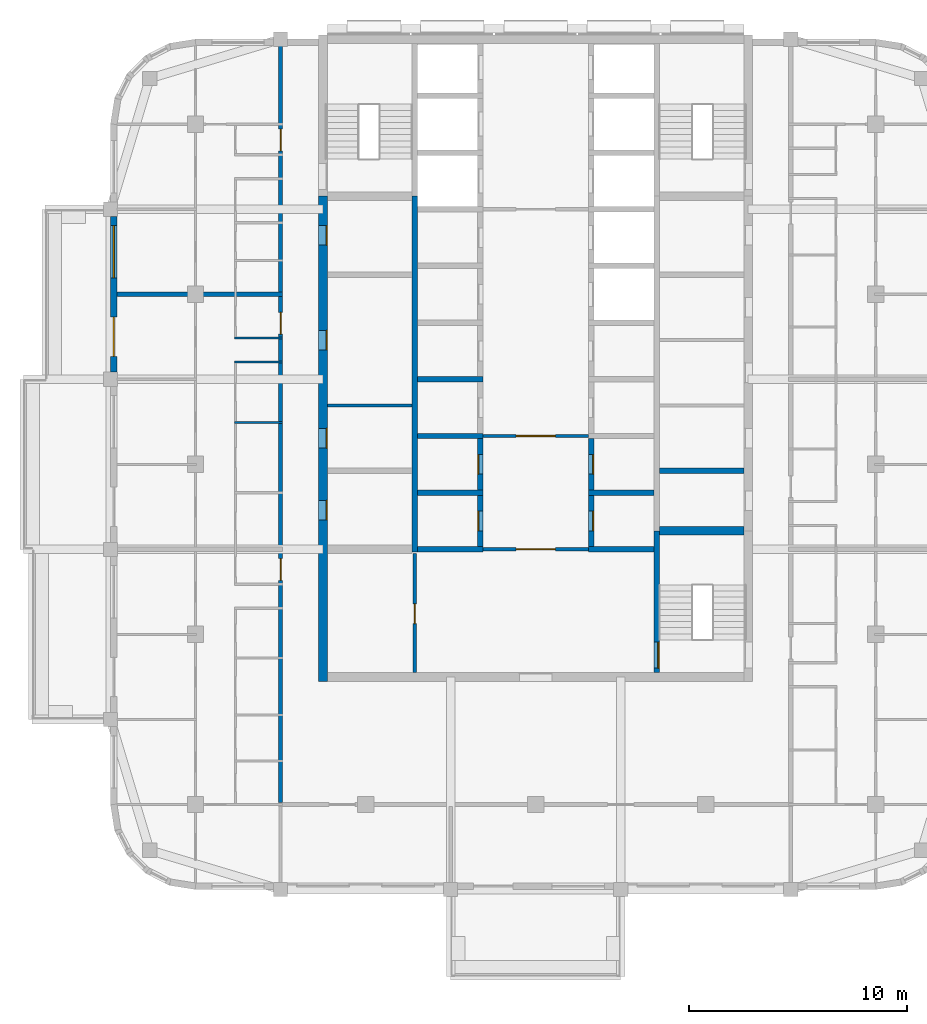
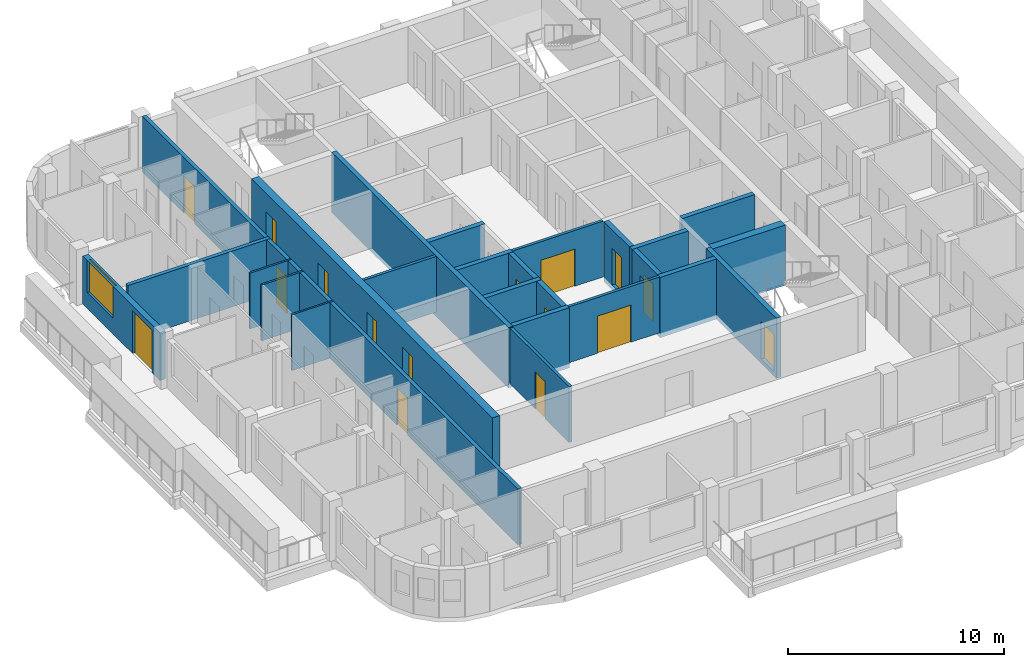
# One storey, part 4 of 13: 25 walls, 16 doors, 1 window, 17 openings.
"""IFC4 building model written with IfcOpenShell, lengths in metres."""

from ifc_helpers import new_model, si_unit, direction, frame, frame_2d, origin, place, context, subcontext, project, spatial, rectangle, extrude, material, layer, layer_set, type_object, element, fill, save


model = new_model("IFC4")

# Units and contexts
model_context = context("Model", 3, precision=1e-05, world=origin(), true_north=direction((0.0, 1.0)))
body_context = subcontext(model_context, "Body", "Model", "MODEL_VIEW")
ifc_project = project(units=[si_unit("LENGTHUNIT", "METRE"), si_unit("AREAUNIT", "SQUARE_METRE"), si_unit("VOLUMEUNIT", "CUBIC_METRE"), si_unit("PLANEANGLEUNIT", "RADIAN"), si_unit("MASSUNIT", "GRAM", prefix="KILO")], contexts=[model_context])

# Site, building, storey
site_placement = place(None, origin())
site = spatial("IfcSite", under=ifc_project, at=site_placement, CompositionType="ELEMENT")
building_placement = place(site_placement, origin())
building = spatial("IfcBuilding", under=site, at=building_placement, Name="Ludao Terraces", CompositionType="ELEMENT")
storey_placement = place(building_placement, frame((0.0, 0.0, 252.800048828125)))
storey = spatial("IfcBuildingStorey", under=building, at=storey_placement, Name="L69", CompositionType="ELEMENT", Elevation=252.800048828125)

# Wall, openings, doors
ifc_material_1 = material(Name="Concrete C50", Category="concrete")
ifc_layer_1 = layer(ifc_material_1, 0.39990234375)
ifc_layer_set_1 = layer_set([ifc_layer_1], Name="Core wall 400 C50")
wall_type_1 = type_object("IfcWallType", Name="Core wall 400 C50", PredefinedType="SOLIDWALL", material=ifc_layer_set_1)
wall_1_placement = place(storey_placement, frame((75.25, 55.050048828125, -0.25), z_axis=(0.0, 0.0, 1.0), x_axis=(0.0, 1.0, 0.0)))
wall_1 = element("IfcWall", 1, at=wall_1_placement, inside=storey, type_object=wall_type_1, Name="Core wall L69 outer-W", PredefinedType="SOLIDWALL", context=body_context, shape_type="SweptSolid", body=[
    extrude(rectangle(XDim=22.25, YDim=0.39990234375, at=frame_2d((11.125, 0.0))), origin(), (0.0, 0.0, 1.0), 3.39990234375),
])
opening_1_placement = place(wall_1_placement, frame((7.39990234375, 0.0, 0.25)))
opening_1 = element("IfcOpeningElement", 2, at=opening_1_placement, cuts=wall_1, Name="Opening R25-033", PredefinedType="OPENING", context=body_context, shape_type="SweptSolid", body=[
    extrude(rectangle(XDim=0.89990234375, YDim=2.10009765625, at=frame_2d((0.449951171875, 1.050048828125))), frame((0.0, 0.2099609375, 0.0), z_axis=(0.0, -1.0, 0.0), x_axis=(1.0, 0.0, 0.0)), (0.0, 0.0, 1.0), 0.419921875),
])
opening_2_placement = place(wall_1_placement, frame((10.699951171875, 0.0, 0.25)))
opening_2 = element("IfcOpeningElement", 3, at=opening_2_placement, cuts=wall_1, Name="Opening R25-042", PredefinedType="OPENING", context=body_context, shape_type="SweptSolid", body=[
    extrude(rectangle(XDim=0.89990234375, YDim=2.10009765625, at=frame_2d((0.449951171875, 1.050048828125))), frame((0.0, 0.2099609375, 0.0), z_axis=(0.0, -1.0, 0.0), x_axis=(1.0, 0.0, 0.0)), (0.0, 0.0, 1.0), 0.419921875),
])
opening_3_placement = place(wall_1_placement, frame((15.199951171875, 0.0, 0.25)))
opening_3 = element("IfcOpeningElement", 4, at=opening_3_placement, cuts=wall_1, Name="Opening R25-055", PredefinedType="OPENING", context=body_context, shape_type="SweptSolid", body=[
    extrude(rectangle(XDim=0.89990234375, YDim=2.10009765625, at=frame_2d((0.449951171875, 1.050048828125))), frame((0.0, 0.2099609375, 0.0), z_axis=(0.0, -1.0, 0.0), x_axis=(1.0, 0.0, 0.0)), (0.0, 0.0, 1.0), 0.419921875),
])
opening_4_placement = place(wall_1_placement, frame((20.0, 0.0, 0.25)))
opening_4 = element("IfcOpeningElement", 5, at=opening_4_placement, cuts=wall_1, Name="Opening R25-070", PredefinedType="OPENING", context=body_context, shape_type="SweptSolid", body=[
    extrude(rectangle(XDim=0.89990234375, YDim=2.10009765625, at=frame_2d((0.449951171875, 1.050048828125))), frame((0.0, 0.2099609375, 0.0), z_axis=(0.0, -1.0, 0.0), x_axis=(1.0, 0.0, 0.0)), (0.0, 0.0, 1.0), 0.419921875),
])
ifc_material_2 = material(Name="Steel Q235", Category="steel")
door_type_1 = type_object("IfcDoorType", Name="INT Riser door 900", OperationType="SINGLE_SWING_LEFT", PredefinedType="DOOR", material=ifc_material_2)
door_1_placement = place(opening_1_placement, origin())
door_1 = element("IfcDoor", 6, at=door_1_placement, inside=storey, type_object=door_type_1, Name="DOOR 033", OperationType="SINGLE_SWING_RIGHT", OverallHeight=2.10009765625, OverallWidth=0.89990234375, PredefinedType="DOOR", context=body_context, shape_type="SweptSolid", body=[
    extrude(rectangle(XDim=0.89990234375, YDim=2.10009765625, at=frame_2d((0.449951171875, 1.050048828125))), frame((0.0, -0.134765625, 0.0), z_axis=(0.0, -1.0, 0.0), x_axis=(1.0, 0.0, 0.0)), (0.0, 0.0, 1.0), 0.050048828125),
])
fill(opening_1, door_1)
door_2_placement = place(opening_4_placement, origin())
door_2 = element("IfcDoor", 7, at=door_2_placement, inside=storey, type_object=door_type_1, Name="DOOR 070", OperationType="SINGLE_SWING_LEFT", OverallHeight=2.10009765625, OverallWidth=0.89990234375, PredefinedType="DOOR", context=body_context, shape_type="SweptSolid", body=[
    extrude(rectangle(XDim=0.89990234375, YDim=2.10009765625, at=frame_2d((0.449951171875, 1.050048828125))), frame((0.0, -0.134765625, 0.0), z_axis=(0.0, -1.0, 0.0), x_axis=(1.0, 0.0, 0.0)), (0.0, 0.0, 1.0), 0.050048828125),
])
fill(opening_4, door_2)
ifc_material_3 = material(Name="Timber door leaf", Category="wood")
door_type_2 = type_object("IfcDoorType", Name="INT Room door 900", OperationType="SINGLE_SWING_LEFT", PredefinedType="DOOR", material=ifc_material_3)
door_3_placement = place(opening_2_placement, origin())
door_3 = element("IfcDoor", 8, at=door_3_placement, inside=storey, type_object=door_type_2, Name="DOOR 042", OperationType="SINGLE_SWING_RIGHT", OverallHeight=2.10009765625, OverallWidth=0.89990234375, PredefinedType="DOOR", context=body_context, shape_type="SweptSolid", body=[
    extrude(rectangle(XDim=0.89990234375, YDim=2.10009765625, at=frame_2d((0.449951171875, 1.050048828125))), frame((0.0, -0.134765625, 0.0), z_axis=(0.0, -1.0, 0.0), x_axis=(1.0, 0.0, 0.0)), (0.0, 0.0, 1.0), 0.050048828125),
])
fill(opening_2, door_3)
door_4_placement = place(opening_3_placement, origin())
door_4 = element("IfcDoor", 9, at=door_4_placement, inside=storey, type_object=door_type_2, Name="DOOR 055", OperationType="SINGLE_SWING_LEFT", OverallHeight=2.10009765625, OverallWidth=0.89990234375, PredefinedType="DOOR", context=body_context, shape_type="SweptSolid", body=[
    extrude(rectangle(XDim=0.89990234375, YDim=2.10009765625, at=frame_2d((0.449951171875, 1.050048828125))), frame((0.0, -0.134765625, 0.0), z_axis=(0.0, -1.0, 0.0), x_axis=(1.0, 0.0, 0.0)), (0.0, 0.0, 1.0), 0.050048828125),
])
fill(opening_3, door_4)

# Wall, openings, door, window
ifc_material_4 = material(Name="Granite cladding", Category="masonry")
ifc_layer_2 = layer(ifc_material_4, 0.0400390625, Category="stone")
ifc_material_5 = material(Name="Mineral wool")
ifc_layer_3 = layer(ifc_material_5, 0.06005859375)
ifc_material_6 = material(Name="Concrete C40", Category="concrete")
ifc_layer_4 = layer(ifc_material_6, 0.199951171875, Category="concrete")
ifc_layer_set_2 = layer_set([ifc_layer_2, ifc_layer_3, ifc_layer_4], Name="ENV Stone-clad wall 300")
wall_type_2 = type_object("IfcWallType", Name="ENV Stone-clad wall 300", PredefinedType="SOLIDWALL", material=ifc_layer_set_2)
wall_2_placement = place(storey_placement, frame((65.64990234375, 69.22509765625, 0.0), z_axis=(0.0, 0.0, 1.0), x_axis=(0.0, 1.0, 0.0)))
wall_2 = element("IfcWall", 10, at=wall_2_placement, inside=storey, type_object=wall_type_2, Name="EW-L69-W4", PredefinedType="SOLIDWALL", context=body_context, shape_type="SweptSolid", body=[
    extrude(rectangle(XDim=7.14990234375, YDim=0.300048828125, at=frame_2d((3.574951171875, 0.0))), origin(), (0.0, 0.0, 1.0), 2.699951171875),
])
opening_5_placement = place(wall_2_placement, frame((0.72509765625, 0.0, 0.0)))
opening_5 = element("IfcOpeningElement", 11, at=opening_5_placement, cuts=wall_2, Name="Opening BD", PredefinedType="OPENING", context=body_context, shape_type="SweptSolid", body=[
    extrude(rectangle(XDim=1.800048828125, YDim=2.39990234375, at=frame_2d((0.89990234375, 1.199951171875))), frame((0.0, 0.16015625, 0.0), z_axis=(0.0, -1.0, 0.0), x_axis=(1.0, 0.0, 0.0)), (0.0, 0.0, 1.0), 0.320068359375),
])
opening_6_placement = place(wall_2_placement, frame((4.324951171875, 0.0, 0.89990234375)))
opening_6 = element("IfcOpeningElement", 12, at=opening_6_placement, cuts=wall_2, Name="Opening W1", PredefinedType="OPENING", context=body_context, shape_type="SweptSolid", body=[
    extrude(rectangle(XDim=2.39990234375, YDim=1.800048828125, at=frame_2d((1.199951171875, 0.89990234375))), frame((0.0, 0.16015625, 0.0), z_axis=(0.0, -1.0, 0.0), x_axis=(1.0, 0.0, 0.0)), (0.0, 0.0, 1.0), 0.320068359375),
])
ifc_material_7 = material(Name="Aluminium glazed door", Category="aluminium")
ifc_layer_5 = layer(ifc_material_7, 0.06005859375)
ifc_layer_set_3 = layer_set([ifc_layer_5], Name="ENV Balcony door BD 1800x2400")
door_type_3 = type_object("IfcDoorType", Name="ENV Balcony door BD 1800x2400", OperationType="DOUBLE_DOOR_SINGLE_SWING", PredefinedType="DOOR", material=ifc_layer_set_3)
door_5_placement = place(opening_5_placement, origin())
door_5 = element("IfcDoor", 13, at=door_5_placement, inside=storey, type_object=door_type_3, Name="BD-L69-W4-1", OperationType="DOUBLE_DOOR_SINGLE_SWING", OverallHeight=2.39990234375, OverallWidth=1.800048828125, PredefinedType="DOOR", context=body_context, shape_type="SweptSolid", body=[
    extrude(rectangle(XDim=1.800048828125, YDim=2.39990234375, at=frame_2d((0.89990234375, 1.199951171875))), frame((0.0, 0.02490234375, 0.0), z_axis=(0.0, -1.0, 0.0), x_axis=(1.0, 0.0, 0.0)), (0.0, 0.0, 1.0), 0.050048828125),
])
fill(opening_5, door_5)
ifc_material_8 = material(Name="Clear glass in aluminium frame", Category="aluminium")
ifc_layer_6 = layer(ifc_material_8, 0.06005859375)
ifc_layer_set_4 = layer_set([ifc_layer_6], Name="ENV Window W1 2400x1800")
window_type = type_object("IfcWindowType", Name="ENV Window W1 2400x1800", PartitioningType="DOUBLE_PANEL_VERTICAL", PredefinedType="WINDOW", material=ifc_layer_set_4)
window_placement = place(opening_6_placement, origin())
window = element("IfcWindow", 14, at=window_placement, inside=storey, type_object=window_type, Name="W-L69-W4-2", OverallHeight=1.800048828125, OverallWidth=2.39990234375, PartitioningType="DOUBLE_PANEL_VERTICAL", PredefinedType="WINDOW", context=body_context, shape_type="SweptSolid", body=[
    extrude(rectangle(XDim=2.39990234375, YDim=1.800048828125, at=frame_2d((1.199951171875, 0.89990234375))), frame((0.0, 0.030029296875, 0.0), z_axis=(0.0, -1.0, 0.0), x_axis=(1.0, 0.0, 0.0)), (0.0, 0.0, 1.0), 0.06005859375),
])
fill(opening_6, window)

# Wall, opening, door
ifc_material_9 = material(Name="Fire-rated gypsum plasterboard", Category="gypsum")
ifc_layer_7 = layer(ifc_material_9, 0.012451171875, Category="gypsum")
ifc_layer_8 = layer(ifc_material_5, 0.10009765625, Name="insulation")
ifc_layer_9 = layer(ifc_material_2, 0.02490234375, Name="stud")
ifc_layer_10 = layer(ifc_material_9, 0.012451171875, Category="gypsum")
ifc_layer_set_5 = layer_set([ifc_layer_7, ifc_layer_8, ifc_layer_9, ifc_layer_10], Name="INT Core partition 150")
wall_type_3 = type_object("IfcWallType", Name="INT Core partition 150", PredefinedType="PARTITIONING", material=ifc_layer_set_5)
wall_3_placement = place(storey_placement, frame((82.5751953125, 61.10009765625, 0.0), z_axis=(0.0, 0.0, 1.0), x_axis=(1.0, 0.0, 0.0)))
wall_3 = element("IfcWall", 15, at=wall_3_placement, inside=storey, type_object=wall_type_3, Name="PW-L69-PW017", PredefinedType="PARTITIONING", context=body_context, shape_type="SweptSolid", body=[
    extrude(rectangle(XDim=4.849853515625, YDim=0.14990234375, at=frame_2d((2.4248046875, 0.0))), origin(), (0.0, 0.0, 1.0), 3.14990234375),
])
opening_7_placement = place(wall_3_placement, frame((1.52490234375, 0.0, 0.0)))
opening_7 = element("IfcOpeningElement", 16, at=opening_7_placement, cuts=wall_3, Name="Opening R25-028", PredefinedType="OPENING", context=body_context, shape_type="SweptSolid", body=[
    extrude(rectangle(XDim=1.800048828125, YDim=2.10009765625, at=frame_2d((0.89990234375, 1.050048828125))), frame((0.0, 0.0849609375, 0.0), z_axis=(0.0, -1.0, 0.0), x_axis=(1.0, 0.0, 0.0)), (0.0, 0.0, 1.0), 0.169921875),
])
door_type_4 = type_object("IfcDoorType", Name="INT Fire lobby door 1800", OperationType="DOUBLE_DOOR_SINGLE_SWING", PredefinedType="DOOR", material=ifc_material_2)
door_6_placement = place(opening_7_placement, origin())
door_6 = element("IfcDoor", 17, at=door_6_placement, inside=storey, type_object=door_type_4, Name="DOOR 028", OperationType="DOUBLE_DOOR_SINGLE_SWING", OverallHeight=2.10009765625, OverallWidth=1.800048828125, PredefinedType="DOOR", context=body_context, shape_type="SweptSolid", body=[
    extrude(rectangle(XDim=1.800048828125, YDim=2.10009765625, at=frame_2d((0.89990234375, 1.050048828125))), frame((0.0, 0.02490234375, 0.0), z_axis=(0.0, -1.0, 0.0), x_axis=(1.0, 0.0, 0.0)), (0.0, 0.0, 1.0), 0.050048828125),
])
fill(opening_7, door_6)

wall_4_placement = place(storey_placement, frame((82.5751953125, 66.300048828125, 0.0), z_axis=(0.0, 0.0, 1.0), x_axis=(1.0, 0.0, 0.0)))
wall_4 = element("IfcWall", 18, at=wall_4_placement, inside=storey, type_object=wall_type_3, Name="PW-L69-PW025", PredefinedType="PARTITIONING", context=body_context, shape_type="SweptSolid", body=[
    extrude(rectangle(XDim=4.849853515625, YDim=0.14990234375, at=frame_2d((2.4248046875, 0.0))), origin(), (0.0, 0.0, 1.0), 3.14990234375),
])
opening_8_placement = place(wall_4_placement, frame((1.52490234375, 0.0, 0.0)))
opening_8 = element("IfcOpeningElement", 19, at=opening_8_placement, cuts=wall_4, Name="Opening R25-044", PredefinedType="OPENING", context=body_context, shape_type="SweptSolid", body=[
    extrude(rectangle(XDim=1.800048828125, YDim=2.10009765625, at=frame_2d((0.89990234375, 1.050048828125))), frame((0.0, 0.0849609375, 0.0), z_axis=(0.0, -1.0, 0.0), x_axis=(1.0, 0.0, 0.0)), (0.0, 0.0, 1.0), 0.169921875),
])
door_7_placement = place(opening_8_placement, origin())
door_7 = element("IfcDoor", 20, at=door_7_placement, inside=storey, type_object=door_type_4, Name="DOOR 044", OperationType="DOUBLE_DOOR_SINGLE_SWING", OverallHeight=2.10009765625, OverallWidth=1.800048828125, PredefinedType="DOOR", context=body_context, shape_type="SweptSolid", body=[
    extrude(rectangle(XDim=1.800048828125, YDim=2.10009765625, at=frame_2d((0.89990234375, 1.050048828125))), frame((0.0, 0.02490234375, 0.0), z_axis=(0.0, -1.0, 0.0), x_axis=(1.0, 0.0, 0.0)), (0.0, 0.0, 1.0), 0.050048828125),
])
fill(opening_8, door_7)

# Wall
wall_5_placement = place(storey_placement, frame((75.4501953125, 67.699951171875, 0.0), z_axis=(0.0, 0.0, 1.0), x_axis=(1.0, 0.0, 0.0)))
element("IfcWall", 21, at=wall_5_placement, inside=storey, type_object=wall_type_3, Name="PW-L69-PW027", PredefinedType="PARTITIONING", context=body_context, shape_type="SweptSolid", body=[
    extrude(rectangle(XDim=3.875, YDim=0.14990234375, at=frame_2d((1.9375, 0.0))), origin(), (0.0, 0.0, 1.0), 3.14990234375),
])

# Wall, opening, door
wall_6_placement = place(storey_placement, frame((79.449951171875, 55.4501953125, 0.0), z_axis=(0.0, 0.0, 1.0), x_axis=(0.0, 1.0, 0.0)))
wall_6 = element("IfcWall", 22, at=wall_6_placement, inside=storey, type_object=wall_type_3, Name="PW-L69-PW057", PredefinedType="PARTITIONING", context=body_context, shape_type="SweptSolid", body=[
    extrude(rectangle(XDim=5.449951171875, YDim=0.14990234375, at=frame_2d((2.72509765625, 0.0))), origin(), (0.0, 0.0, 1.0), 3.14990234375),
])
opening_9_placement = place(wall_6_placement, frame((2.25, 0.0, 0.0)))
opening_9 = element("IfcOpeningElement", 23, at=opening_9_placement, cuts=wall_6, Name="Opening R25-022", PredefinedType="OPENING", context=body_context, shape_type="SweptSolid", body=[
    extrude(rectangle(XDim=0.89990234375, YDim=2.10009765625, at=frame_2d((0.449951171875, 1.050048828125))), frame((0.0, 0.0849609375, 0.0), z_axis=(0.0, -1.0, 0.0), x_axis=(1.0, 0.0, 0.0)), (0.0, 0.0, 1.0), 0.169921875),
])
door_8_placement = place(opening_9_placement, origin())
door_8 = element("IfcDoor", 24, at=door_8_placement, inside=storey, type_object=door_type_2, Name="DOOR 022", OperationType="SINGLE_SWING_LEFT", OverallHeight=2.10009765625, OverallWidth=0.89990234375, PredefinedType="DOOR", context=body_context, shape_type="SweptSolid", body=[
    extrude(rectangle(XDim=0.89990234375, YDim=2.10009765625, at=frame_2d((0.449951171875, 1.050048828125))), frame((0.0, 0.02490234375, 0.0), z_axis=(0.0, -1.0, 0.0), x_axis=(1.0, 0.0, 0.0)), (0.0, 0.0, 1.0), 0.050048828125),
])
fill(opening_9, door_8)

# Wall, openings, doors
ifc_material_10 = material(Name="Autoclaved aerated concrete block B06 A3.5", Category="concrete")
ifc_layer_11 = layer(ifc_material_10, 0.199951171875)
ifc_layer_set_6 = layer_set([ifc_layer_11], Name="INT Entrance wall 200")
wall_type_4 = type_object("IfcWallType", Name="INT Entrance wall 200", PredefinedType="PARTITIONING", material=ifc_layer_set_6)
wall_7_placement = place(storey_placement, frame((73.300048828125, 49.5, 0.0), z_axis=(0.0, 0.0, 1.0), x_axis=(0.0, 1.0, 0.0)))
wall_7 = element("IfcWall", 25, at=wall_7_placement, inside=storey, type_object=wall_type_4, Name="PW-L69-PW056", PredefinedType="PARTITIONING", context=body_context, shape_type="SweptSolid", body=[
    extrude(rectangle(XDim=34.7001953125, YDim=0.199951171875, at=frame_2d((17.35009765625, 0.0))), origin(), (0.0, 0.0, 1.0), 3.14990234375),
])
opening_10_placement = place(wall_7_placement, frame((10.175048828125, 0.0, 0.0)))
opening_10 = element("IfcOpeningElement", 26, at=opening_10_placement, cuts=wall_7, Name="Opening R25-026", PredefinedType="OPENING", context=body_context, shape_type="SweptSolid", body=[
    extrude(rectangle(XDim=1.0, YDim=2.10009765625, at=frame_2d((0.5, 1.050048828125))), frame((0.0, 0.10986328125, 0.0), z_axis=(0.0, -1.0, 0.0), x_axis=(1.0, 0.0, 0.0)), (0.0, 0.0, 1.0), 0.219970703125),
])
opening_11_placement = place(wall_7_placement, frame((21.47509765625, 0.0, 0.0)))
opening_11 = element("IfcOpeningElement", 27, at=opening_11_placement, cuts=wall_7, Name="Opening R25-058", PredefinedType="OPENING", context=body_context, shape_type="SweptSolid", body=[
    extrude(rectangle(XDim=1.0, YDim=2.10009765625, at=frame_2d((0.5, 1.050048828125))), frame((0.0, 0.10986328125, 0.0), z_axis=(0.0, -1.0, 0.0), x_axis=(1.0, 0.0, 0.0)), (0.0, 0.0, 1.0), 0.219970703125),
])
opening_12_placement = place(wall_7_placement, frame((29.875, 0.0, 0.0)))
opening_12 = element("IfcOpeningElement", 28, at=opening_12_placement, cuts=wall_7, Name="Opening R25-083", PredefinedType="OPENING", context=body_context, shape_type="SweptSolid", body=[
    extrude(rectangle(XDim=1.0, YDim=2.10009765625, at=frame_2d((0.5, 1.050048828125))), frame((0.0, 0.10986328125, 0.0), z_axis=(0.0, -1.0, 0.0), x_axis=(1.0, 0.0, 0.0)), (0.0, 0.0, 1.0), 0.219970703125),
])
door_type_5 = type_object("IfcDoorType", Name="INT Flat entrance door 1000", OperationType="SINGLE_SWING_LEFT", PredefinedType="DOOR", material=ifc_material_2)
door_9_placement = place(opening_10_placement, origin())
door_9 = element("IfcDoor", 29, at=door_9_placement, inside=storey, type_object=door_type_5, Name="DOOR 026", OperationType="SINGLE_SWING_RIGHT", OverallHeight=2.10009765625, OverallWidth=1.0, PredefinedType="DOOR", context=body_context, shape_type="SweptSolid", body=[
    extrude(rectangle(XDim=1.0, YDim=2.10009765625, at=frame_2d((0.5, 1.050048828125))), frame((0.0, 0.02490234375, 0.0), z_axis=(0.0, -1.0, 0.0), x_axis=(1.0, 0.0, 0.0)), (0.0, 0.0, 1.0), 0.050048828125),
])
fill(opening_10, door_9)
door_10_placement = place(opening_11_placement, origin())
door_10 = element("IfcDoor", 30, at=door_10_placement, inside=storey, type_object=door_type_5, Name="DOOR 058", OperationType="SINGLE_SWING_RIGHT", OverallHeight=2.10009765625, OverallWidth=1.0, PredefinedType="DOOR", context=body_context, shape_type="SweptSolid", body=[
    extrude(rectangle(XDim=1.0, YDim=2.10009765625, at=frame_2d((0.5, 1.050048828125))), frame((0.0, 0.02490234375, 0.0), z_axis=(0.0, -1.0, 0.0), x_axis=(1.0, 0.0, 0.0)), (0.0, 0.0, 1.0), 0.050048828125),
])
fill(opening_11, door_10)
door_11_placement = place(opening_12_placement, origin())
door_11 = element("IfcDoor", 31, at=door_11_placement, inside=storey, type_object=door_type_5, Name="DOOR 083", OperationType="SINGLE_SWING_RIGHT", OverallHeight=2.10009765625, OverallWidth=1.0, PredefinedType="DOOR", context=body_context, shape_type="SweptSolid", body=[
    extrude(rectangle(XDim=1.0, YDim=2.10009765625, at=frame_2d((0.5, 1.050048828125))), frame((0.0, 0.02490234375, 0.0), z_axis=(0.0, -1.0, 0.0), x_axis=(1.0, 0.0, 0.0)), (0.0, 0.0, 1.0), 0.050048828125),
])
fill(opening_12, door_11)

# Walls
ifc_material_11 = material(Name="Gypsum plasterboard", Category="gypsum")
ifc_layer_12 = layer(ifc_material_11, 0.012451171875, Category="gypsum")
ifc_layer_13 = layer(ifc_material_5, 0.06005859375, Name="insulation")
ifc_layer_14 = layer(ifc_material_2, 0.014892578125, Name="stud")
ifc_layer_15 = layer(ifc_material_11, 0.012451171875, Category="gypsum")
ifc_layer_set_7 = layer_set([ifc_layer_12, ifc_layer_13, ifc_layer_14, ifc_layer_15], Name="INT Partition 100")
wall_type_5 = type_object("IfcWallType", Name="INT Partition 100", PredefinedType="PARTITIONING", material=ifc_layer_set_7)
for number, where, z_axis, x_axis, name in (
    (32, (71.18017578125, 66.919921875, 0.0), (0.0, 0.0, 1.0), (1.0, 0.0, 0.0), "PW-L69-PW026"),
    (33, (71.18017578125, 69.699951171875, 0.0), (0.0, 0.0, 1.0), (1.0, 0.0, 0.0), "PW-L69-PW031"),
    (34, (71.18017578125, 70.800048828125, 0.0), (0.0, 0.0, 1.0), (1.0, 0.0, 0.0), "PW-L69-PW033"),
):
    element("IfcWall", number, at=place(storey_placement, frame(where, z_axis=z_axis, x_axis=x_axis)), inside=storey, type_object=wall_type_5, Name=name, PredefinedType="PARTITIONING", context=body_context, shape_type="SweptSolid", body=[
        extrude(rectangle(XDim=2.219970703125, YDim=0.10009765625, at=frame_2d((1.10986328125, 0.0))), origin(), (0.0, 0.0, 1.0), 3.14990234375),
    ])
ifc_layer_16 = layer(ifc_material_10, 0.199951171875)
ifc_layer_set_8 = layer_set([ifc_layer_16], Name="INT Party wall 200")
wall_type_6 = type_object("IfcWallType", Name="INT Party wall 200", PredefinedType="PARTITIONING", material=ifc_layer_set_8)
wall_8_placement = place(storey_placement, frame((65.800048828125, 72.800048828125, 0.0), z_axis=(0.0, 0.0, 1.0), x_axis=(1.0, 0.0, 0.0)))
element("IfcWall", 35, at=wall_8_placement, inside=storey, type_object=wall_type_6, Name="PW-L69-PW035", PredefinedType="PARTITIONING", context=body_context, shape_type="SweptSolid", body=[
    extrude(rectangle(XDim=7.60009765625, YDim=0.199951171875, at=frame_2d((3.800048828125, 0.0))), origin(), (0.0, 0.0, 1.0), 3.14990234375),
])
ifc_layer_17 = layer(ifc_material_1, 0.25)
ifc_layer_set_9 = layer_set([ifc_layer_17], Name="Shaft wall 250 C50")
wall_type_7 = type_object("IfcWallType", Name="Shaft wall 250 C50", PredefinedType="SOLIDWALL", material=ifc_layer_set_9)
wall_9_placement = place(storey_placement, frame((79.449951171875, 60.97509765625, -0.25), z_axis=(0.0, 0.0, 1.0), x_axis=(0.0, 1.0, 0.0)))
element("IfcWall", 36, at=wall_9_placement, inside=storey, type_object=wall_type_7, Name="Core wall L69 back-W", PredefinedType="SOLIDWALL", context=body_context, shape_type="SweptSolid", body=[
    extrude(rectangle(XDim=16.324951171875, YDim=0.25, at=frame_2d((8.16259765625, 0.0))), origin(), (0.0, 0.0, 1.0), 3.39990234375),
])

# Wall, opening, door
wall_10_placement = place(storey_placement, frame((90.550048828125, 55.449951171875, -0.25), z_axis=(0.0, 0.0, 1.0), x_axis=(0.0, 1.0, 0.0)))
wall_10 = element("IfcWall", 37, at=wall_10_placement, inside=storey, type_object=wall_type_7, Name="Core wall L69 back-E-S3", PredefinedType="SOLIDWALL", context=body_context, shape_type="SweptSolid", body=[
    extrude(rectangle(XDim=6.5, YDim=0.25, at=frame_2d((3.25, 0.0))), origin(), (0.0, 0.0, 1.0), 3.39990234375),
])
opening_13_placement = place(wall_10_placement, frame((0.199951171875, 0.0, 0.25)))
opening_13 = element("IfcOpeningElement", 38, at=opening_13_placement, cuts=wall_10, Name="Opening R25-017", PredefinedType="OPENING", context=body_context, shape_type="SweptSolid", body=[
    extrude(rectangle(XDim=1.199951171875, YDim=2.10009765625, at=frame_2d((0.60009765625, 1.050048828125))), frame((0.0, 0.135009765625, 0.0), z_axis=(0.0, -1.0, 0.0), x_axis=(1.0, 0.0, 0.0)), (0.0, 0.0, 1.0), 0.27001953125),
])
door_type_6 = type_object("IfcDoorType", Name="INT Stair door 1200", OperationType="DOUBLE_DOOR_SINGLE_SWING", PredefinedType="DOOR", material=ifc_material_2)
door_12_placement = place(opening_13_placement, origin())
door_12 = element("IfcDoor", 39, at=door_12_placement, inside=storey, type_object=door_type_6, Name="DOOR 017", OperationType="DOUBLE_DOOR_SINGLE_SWING", OverallHeight=2.10009765625, OverallWidth=1.199951171875, PredefinedType="DOOR", context=body_context, shape_type="SweptSolid", body=[
    extrude(rectangle(XDim=1.199951171875, YDim=2.10009765625, at=frame_2d((0.60009765625, 1.050048828125))), frame((0.0, -0.06005859375, 0.0), z_axis=(0.0, -1.0, 0.0), x_axis=(1.0, 0.0, 0.0)), (0.0, 0.0, 1.0), 0.050048828125),
])
fill(opening_13, door_12)

# Wall
wall_11_placement = place(storey_placement, frame((79.574951171875, 61.10009765625, -0.25), z_axis=(0.0, 0.0, 1.0), x_axis=(1.0, 0.0, 0.0)))
element("IfcWall", 40, at=wall_11_placement, inside=storey, type_object=wall_type_7, Name="Core wall L69 div-W1", PredefinedType="SOLIDWALL", context=body_context, shape_type="SweptSolid", body=[
    extrude(rectangle(XDim=3.0, YDim=0.25, at=frame_2d((1.5, 0.0))), origin(), (0.0, 0.0, 1.0), 3.39990234375),
])

# Wall, opening, door
wall_12_placement = place(storey_placement, frame((82.449951171875, 61.22509765625, -0.25), z_axis=(0.0, 0.0, 1.0), x_axis=(0.0, 1.0, 0.0)))
wall_12 = element("IfcWall", 41, at=wall_12_placement, inside=storey, type_object=wall_type_7, Name="Core wall L69 front-W1", PredefinedType="SOLIDWALL", context=body_context, shape_type="SweptSolid", body=[
    extrude(rectangle(XDim=2.349853515625, YDim=0.25, at=frame_2d((1.1748046875, 0.0))), origin(), (0.0, 0.0, 1.0), 3.39990234375),
])
opening_14_placement = place(wall_12_placement, frame((0.72509765625, 0.0, 0.25)))
opening_14 = element("IfcOpeningElement", 42, at=opening_14_placement, cuts=wall_12, Name="Opening R25-031", PredefinedType="OPENING", context=body_context, shape_type="SweptSolid", body=[
    extrude(rectangle(XDim=0.89990234375, YDim=2.10009765625, at=frame_2d((0.449951171875, 1.050048828125))), frame((0.0, 0.135009765625, 0.0), z_axis=(0.0, -1.0, 0.0), x_axis=(1.0, 0.0, 0.0)), (0.0, 0.0, 1.0), 0.27001953125),
])
door_13_placement = place(opening_14_placement, origin())
door_13 = element("IfcDoor", 43, at=door_13_placement, inside=storey, type_object=door_type_2, Name="DOOR 031", OperationType="SINGLE_SWING_LEFT", OverallHeight=2.10009765625, OverallWidth=0.89990234375, PredefinedType="DOOR", context=body_context, shape_type="SweptSolid", body=[
    extrude(rectangle(XDim=0.89990234375, YDim=2.10009765625, at=frame_2d((0.449951171875, 1.050048828125))), frame((0.0, 0.10986328125, 0.0), z_axis=(0.0, -1.0, 0.0), x_axis=(1.0, 0.0, 0.0)), (0.0, 0.0, 1.0), 0.050048828125),
])
fill(opening_14, door_13)

# Wall
wall_13_placement = place(storey_placement, frame((79.574951171875, 63.699951171875, -0.25), z_axis=(0.0, 0.0, 1.0), x_axis=(1.0, 0.0, 0.0)))
element("IfcWall", 44, at=wall_13_placement, inside=storey, type_object=wall_type_7, Name="Core wall L69 div-W2", PredefinedType="SOLIDWALL", context=body_context, shape_type="SweptSolid", body=[
    extrude(rectangle(XDim=3.0, YDim=0.25, at=frame_2d((1.5, 0.0))), origin(), (0.0, 0.0, 1.0), 3.39990234375),
])

# Wall, opening, door
wall_14_placement = place(storey_placement, frame((82.449951171875, 63.824951171875, -0.25), z_axis=(0.0, 0.0, 1.0), x_axis=(0.0, 1.0, 0.0)))
wall_14 = element("IfcWall", 45, at=wall_14_placement, inside=storey, type_object=wall_type_7, Name="Core wall L69 front-W2", PredefinedType="SOLIDWALL", context=body_context, shape_type="SweptSolid", body=[
    extrude(rectangle(XDim=2.35009765625, YDim=0.25, at=frame_2d((1.175048828125, 0.0))), origin(), (0.0, 0.0, 1.0), 3.39990234375),
])
opening_15_placement = place(wall_14_placement, frame((0.72509765625, 0.0, 0.25)))
opening_15 = element("IfcOpeningElement", 46, at=opening_15_placement, cuts=wall_14, Name="Opening R25-039", PredefinedType="OPENING", context=body_context, shape_type="SweptSolid", body=[
    extrude(rectangle(XDim=0.89990234375, YDim=2.10009765625, at=frame_2d((0.449951171875, 1.050048828125))), frame((0.0, 0.135009765625, 0.0), z_axis=(0.0, -1.0, 0.0), x_axis=(1.0, 0.0, 0.0)), (0.0, 0.0, 1.0), 0.27001953125),
])
door_14_placement = place(opening_15_placement, origin())
door_14 = element("IfcDoor", 47, at=door_14_placement, inside=storey, type_object=door_type_2, Name="DOOR 039", OperationType="SINGLE_SWING_LEFT", OverallHeight=2.10009765625, OverallWidth=0.89990234375, PredefinedType="DOOR", context=body_context, shape_type="SweptSolid", body=[
    extrude(rectangle(XDim=0.89990234375, YDim=2.10009765625, at=frame_2d((0.449951171875, 1.050048828125))), frame((0.0, 0.10986328125, 0.0), z_axis=(0.0, -1.0, 0.0), x_axis=(1.0, 0.0, 0.0)), (0.0, 0.0, 1.0), 0.050048828125),
])
fill(opening_15, door_14)

# Walls
for number, where, z_axis, x_axis, name in (
    (48, (79.574951171875, 66.300048828125, -0.25), (0.0, 0.0, 1.0), (1.0, 0.0, 0.0), "Core wall L69 div-W3"),
    (49, (79.574951171875, 68.89990234375, -0.25), (0.0, 0.0, 1.0), (1.0, 0.0, 0.0), "Core wall L69 div-W4"),
    (50, (87.425048828125, 61.10009765625, -0.25), (0.0, 0.0, 1.0), (1.0, 0.0, 0.0), "Core wall L69 div-E1"),
):
    element("IfcWall", number, at=place(storey_placement, frame(where, z_axis=z_axis, x_axis=x_axis)), inside=storey, type_object=wall_type_7, Name=name, PredefinedType="SOLIDWALL", context=body_context, shape_type="SweptSolid", body=[
        extrude(rectangle(XDim=3.0, YDim=0.25, at=frame_2d((1.5, 0.0))), origin(), (0.0, 0.0, 1.0), 3.39990234375),
    ])

# Wall, opening, door
wall_15_placement = place(storey_placement, frame((87.550048828125, 61.22509765625, -0.25), z_axis=(0.0, 0.0, 1.0), x_axis=(0.0, 1.0, 0.0)))
wall_15 = element("IfcWall", 51, at=wall_15_placement, inside=storey, type_object=wall_type_7, Name="Core wall L69 front-E1", PredefinedType="SOLIDWALL", context=body_context, shape_type="SweptSolid", body=[
    extrude(rectangle(XDim=2.349853515625, YDim=0.25, at=frame_2d((1.1748046875, 0.0))), origin(), (0.0, 0.0, 1.0), 3.39990234375),
])
opening_16_placement = place(wall_15_placement, frame((0.72509765625, 0.0, 0.25)))
opening_16 = element("IfcOpeningElement", 52, at=opening_16_placement, cuts=wall_15, Name="Opening R25-032", PredefinedType="OPENING", context=body_context, shape_type="SweptSolid", body=[
    extrude(rectangle(XDim=0.89990234375, YDim=2.10009765625, at=frame_2d((0.449951171875, 1.050048828125))), frame((0.0, 0.135009765625, 0.0), z_axis=(0.0, -1.0, 0.0), x_axis=(1.0, 0.0, 0.0)), (0.0, 0.0, 1.0), 0.27001953125),
])
door_15_placement = place(opening_16_placement, origin())
door_15 = element("IfcDoor", 53, at=door_15_placement, inside=storey, type_object=door_type_2, Name="DOOR 032", OperationType="SINGLE_SWING_RIGHT", OverallHeight=2.10009765625, OverallWidth=0.89990234375, PredefinedType="DOOR", context=body_context, shape_type="SweptSolid", body=[
    extrude(rectangle(XDim=0.89990234375, YDim=2.10009765625, at=frame_2d((0.449951171875, 1.050048828125))), frame((0.0, -0.06005859375, 0.0), z_axis=(0.0, -1.0, 0.0), x_axis=(1.0, 0.0, 0.0)), (0.0, 0.0, 1.0), 0.050048828125),
])
fill(opening_16, door_15)

# Wall
wall_16_placement = place(storey_placement, frame((87.425048828125, 63.699951171875, -0.25), z_axis=(0.0, 0.0, 1.0), x_axis=(1.0, 0.0, 0.0)))
element("IfcWall", 54, at=wall_16_placement, inside=storey, type_object=wall_type_7, Name="Core wall L69 div-E2", PredefinedType="SOLIDWALL", context=body_context, shape_type="SweptSolid", body=[
    extrude(rectangle(XDim=3.0, YDim=0.25, at=frame_2d((1.5, 0.0))), origin(), (0.0, 0.0, 1.0), 3.39990234375),
])

# Wall, opening, door
wall_17_placement = place(storey_placement, frame((87.550048828125, 63.824951171875, -0.25), z_axis=(0.0, 0.0, 1.0), x_axis=(0.0, 1.0, 0.0)))
wall_17 = element("IfcWall", 55, at=wall_17_placement, inside=storey, type_object=wall_type_7, Name="Core wall L69 front-E2", PredefinedType="SOLIDWALL", context=body_context, shape_type="SweptSolid", body=[
    extrude(rectangle(XDim=2.35009765625, YDim=0.25, at=frame_2d((1.175048828125, 0.0))), origin(), (0.0, 0.0, 1.0), 3.39990234375),
])
opening_17_placement = place(wall_17_placement, frame((0.72509765625, 0.0, 0.25)))
opening_17 = element("IfcOpeningElement", 56, at=opening_17_placement, cuts=wall_17, Name="Opening R25-040", PredefinedType="OPENING", context=body_context, shape_type="SweptSolid", body=[
    extrude(rectangle(XDim=0.89990234375, YDim=2.10009765625, at=frame_2d((0.449951171875, 1.050048828125))), frame((0.0, 0.135009765625, 0.0), z_axis=(0.0, -1.0, 0.0), x_axis=(1.0, 0.0, 0.0)), (0.0, 0.0, 1.0), 0.27001953125),
])
door_16_placement = place(opening_17_placement, origin())
door_16 = element("IfcDoor", 57, at=door_16_placement, inside=storey, type_object=door_type_2, Name="DOOR 040", OperationType="SINGLE_SWING_RIGHT", OverallHeight=2.10009765625, OverallWidth=0.89990234375, PredefinedType="DOOR", context=body_context, shape_type="SweptSolid", body=[
    extrude(rectangle(XDim=0.89990234375, YDim=2.10009765625, at=frame_2d((0.449951171875, 1.050048828125))), frame((0.0, -0.06005859375, 0.0), z_axis=(0.0, -1.0, 0.0), x_axis=(1.0, 0.0, 0.0)), (0.0, 0.0, 1.0), 0.050048828125),
])
fill(opening_17, door_16)

# Walls
wall_18_placement = place(storey_placement, frame((90.675048828125, 64.699951171875, -0.25), z_axis=(0.0, 0.0, 1.0), x_axis=(1.0, 0.0, 0.0)))
element("IfcWall", 58, at=wall_18_placement, inside=storey, type_object=wall_type_7, Name="Core wall L69 riser-a-E", PredefinedType="SOLIDWALL", context=body_context, shape_type="SweptSolid", body=[
    extrude(rectangle(XDim=3.875, YDim=0.25, at=frame_2d((1.9375, 0.0))), origin(), (0.0, 0.0, 1.0), 3.39990234375),
])
ifc_layer_18 = layer(ifc_material_1, 0.39990234375)
ifc_layer_set_10 = layer_set([ifc_layer_18], Name="Shaft wall 400 C50")
wall_type_8 = type_object("IfcWallType", Name="Shaft wall 400 C50", PredefinedType="SOLIDWALL", material=ifc_layer_set_10)
wall_19_placement = place(storey_placement, frame((90.675048828125, 61.949951171875, -0.25), z_axis=(0.0, 0.0, 1.0), x_axis=(1.0, 0.0, 0.0)))
element("IfcWall", 59, at=wall_19_placement, inside=storey, type_object=wall_type_8, Name="Core wall L69 hall-E", PredefinedType="SOLIDWALL", context=body_context, shape_type="SweptSolid", body=[
    extrude(rectangle(XDim=3.875, YDim=0.39990234375, at=frame_2d((1.9375, 0.0))), origin(), (0.0, 0.0, 1.0), 3.39990234375),
])

save(model, "model.ifc")
